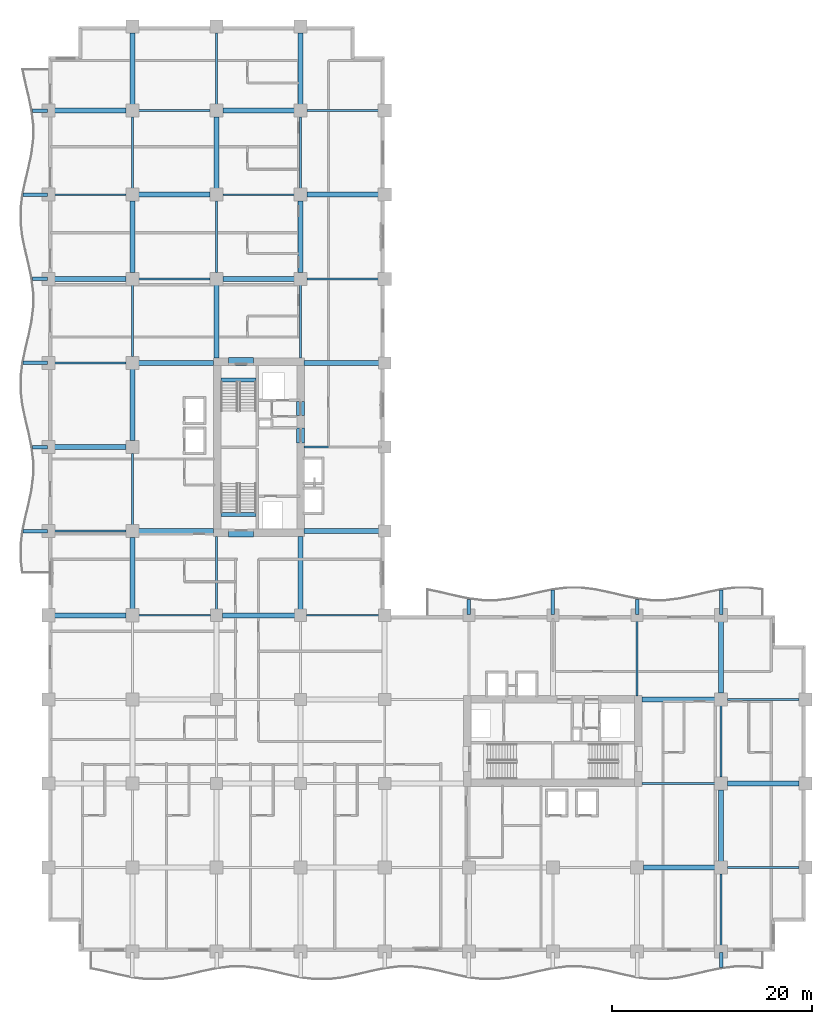
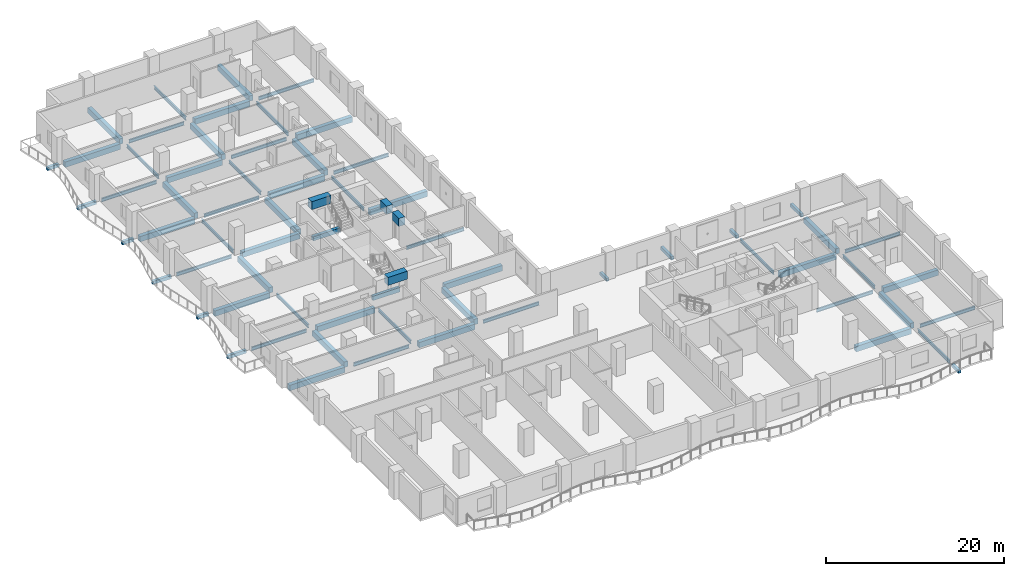
# One storey, part 2 of 18: 69 beams.
"""IFC4 building model written with IfcOpenShell, lengths in metres."""

from ifc_helpers import new_model, si_unit, direction, frame, origin, origin_2d, place, context, subcontext, project, spatial, rectangle, i_section, extrude, material, material_profile, profile_set, type_object, element, save


model = new_model("IFC4")

# Units and contexts
model_context = context("Model", 3, precision=1e-05, world=origin(), true_north=direction((0.0, 1.0)))
body_context = subcontext(model_context, "Body", "Model", "MODEL_VIEW")
ifc_project = project(units=[si_unit("LENGTHUNIT", "METRE"), si_unit("AREAUNIT", "SQUARE_METRE"), si_unit("VOLUMEUNIT", "CUBIC_METRE"), si_unit("PLANEANGLEUNIT", "RADIAN"), si_unit("MASSUNIT", "GRAM", prefix="KILO")], contexts=[model_context])

# Site, building, storey
site_placement = place(None, origin())
site = spatial("IfcSite", under=ifc_project, at=site_placement, CompositionType="ELEMENT")
building_placement = place(site_placement, origin())
building = spatial("IfcBuilding", under=site, at=building_placement, Name="Koriwani Terraces Tower", CompositionType="ELEMENT")
storey_placement = place(building_placement, frame((0.0, 0.0, 107.60009765625)))
storey = spatial("IfcBuildingStorey", under=building, at=storey_placement, Name="L25", CompositionType="ELEMENT", Elevation=107.60009765625)

# Beams
ifc_material_1 = material(Name="Concrete C40/50", Category="concrete")
ifc_material_profile_1 = material_profile(ifc_material_1, rectangle(XDim=0.35009765625, YDim=0.449951171875, at=origin_2d()), Name="Concrete C40/50", Category="LoadBearing")
ifc_profile_set_1 = profile_set([ifc_material_profile_1], Name="Concrete C40/50")
beam_type_1 = type_object("IfcBeamType", Name="BEAM_RC_BALCONY_RIB_350X450", PredefinedType="JOIST", material=ifc_profile_set_1)
beam_1_placement = place(storey_placement, frame((67.199951171875, -1.59033203125, -0.47509765625), z_axis=(0.0, 1.0, 0.0), x_axis=(-1.0, 0.0, 0.0)))
element("IfcBeam", 1, at=beam_1_placement, inside=storey, type_object=beam_type_1, Name="L25 Balcony Bracket Rib S-8", PredefinedType="JOIST", context=body_context, shape_type="SweptSolid", body=[
    extrude(rectangle(XDim=0.35009765625, YDim=0.449951171875, at=origin_2d()), origin(), (0.0, 0.0, 1.0), 1.490234375),
])
beam_2_placement = place(storey_placement, frame((-2.509521484375, 42.0, -0.47509765625), z_axis=(1.0, 0.0, 0.0), x_axis=(0.0, 1.0, 0.0)))
element("IfcBeam", 2, at=beam_2_placement, inside=storey, type_object=beam_type_1, Name="L25 Balcony Bracket Rib W-1", PredefinedType="JOIST", context=body_context, shape_type="SweptSolid", body=[
    extrude(rectangle(XDim=0.35009765625, YDim=0.449951171875, at=origin_2d()), origin(), (0.0, 0.0, 1.0), 2.409423828125),
])
beam_3_placement = place(storey_placement, frame((-1.59033203125, 50.39990234375, -0.47509765625), z_axis=(1.0, 0.0, 0.0), x_axis=(0.0, 1.0, 0.0)))
element("IfcBeam", 3, at=beam_3_placement, inside=storey, type_object=beam_type_1, Name="L25 Balcony Bracket Rib W-2", PredefinedType="JOIST", context=body_context, shape_type="SweptSolid", body=[
    extrude(rectangle(XDim=0.35009765625, YDim=0.449951171875, at=origin_2d()), origin(), (0.0, 0.0, 1.0), 1.490234375),
])
beam_4_placement = place(storey_placement, frame((-2.509521484375, 58.800048828125, -0.47509765625), z_axis=(1.0, 0.0, 0.0), x_axis=(0.0, 1.0, 0.0)))
element("IfcBeam", 4, at=beam_4_placement, inside=storey, type_object=beam_type_1, Name="L25 Balcony Bracket Rib W-3", PredefinedType="JOIST", context=body_context, shape_type="SweptSolid", body=[
    extrude(rectangle(XDim=0.35009765625, YDim=0.449951171875, at=origin_2d()), origin(), (0.0, 0.0, 1.0), 2.409423828125),
])
beam_5_placement = place(storey_placement, frame((-1.59033203125, 67.199951171875, -0.47509765625), z_axis=(1.0, 0.0, 0.0), x_axis=(0.0, 1.0, 0.0)))
element("IfcBeam", 5, at=beam_5_placement, inside=storey, type_object=beam_type_1, Name="L25 Balcony Bracket Rib W-4", PredefinedType="JOIST", context=body_context, shape_type="SweptSolid", body=[
    extrude(rectangle(XDim=0.35009765625, YDim=0.449951171875, at=origin_2d()), origin(), (0.0, 0.0, 1.0), 1.490234375),
])
beam_6_placement = place(storey_placement, frame((-2.509521484375, 75.60009765625, -0.47509765625), z_axis=(1.0, 0.0, 0.0), x_axis=(0.0, 1.0, 0.0)))
element("IfcBeam", 6, at=beam_6_placement, inside=storey, type_object=beam_type_1, Name="L25 Balcony Bracket Rib W-5", PredefinedType="JOIST", context=body_context, shape_type="SweptSolid", body=[
    extrude(rectangle(XDim=0.35009765625, YDim=0.449951171875, at=origin_2d()), origin(), (0.0, 0.0, 1.0), 2.409423828125),
])
beam_7_placement = place(storey_placement, frame((-1.59033203125, 84.0, -0.47509765625), z_axis=(1.0, 0.0, 0.0), x_axis=(0.0, 1.0, 0.0)))
element("IfcBeam", 7, at=beam_7_placement, inside=storey, type_object=beam_type_1, Name="L25 Balcony Bracket Rib W-6", PredefinedType="JOIST", context=body_context, shape_type="SweptSolid", body=[
    extrude(rectangle(XDim=0.35009765625, YDim=0.449951171875, at=origin_2d()), origin(), (0.0, 0.0, 1.0), 1.490234375),
])
beam_8_placement = place(storey_placement, frame((42.0, 33.699951171875, -0.47509765625), z_axis=(0.0, 1.0, 0.0), x_axis=(-1.0, 0.0, 0.0)))
element("IfcBeam", 8, at=beam_8_placement, inside=storey, type_object=beam_type_1, Name="L25 Balcony Bracket Rib NE-1", PredefinedType="JOIST", context=body_context, shape_type="SweptSolid", body=[
    extrude(rectangle(XDim=0.35009765625, YDim=0.449951171875, at=origin_2d()), origin(), (0.0, 0.0, 1.0), 1.490478515625),
])
beam_9_placement = place(storey_placement, frame((50.39990234375, 33.699951171875, -0.47509765625), z_axis=(0.0, 1.0, 0.0), x_axis=(-1.0, 0.0, 0.0)))
element("IfcBeam", 9, at=beam_9_placement, inside=storey, type_object=beam_type_1, Name="L25 Balcony Bracket Rib NE-2", PredefinedType="JOIST", context=body_context, shape_type="SweptSolid", body=[
    extrude(rectangle(XDim=0.35009765625, YDim=0.449951171875, at=origin_2d()), origin(), (0.0, 0.0, 1.0), 2.40966796875),
])
beam_10_placement = place(storey_placement, frame((58.800048828125, 33.699951171875, -0.47509765625), z_axis=(0.0, 1.0, 0.0), x_axis=(-1.0, 0.0, 0.0)))
element("IfcBeam", 10, at=beam_10_placement, inside=storey, type_object=beam_type_1, Name="L25 Balcony Bracket Rib NE-3", PredefinedType="JOIST", context=body_context, shape_type="SweptSolid", body=[
    extrude(rectangle(XDim=0.35009765625, YDim=0.449951171875, at=origin_2d()), origin(), (0.0, 0.0, 1.0), 1.490478515625),
])
beam_11_placement = place(storey_placement, frame((67.199951171875, 33.699951171875, -0.47509765625), z_axis=(0.0, 1.0, 0.0), x_axis=(-1.0, 0.0, 0.0)))
element("IfcBeam", 11, at=beam_11_placement, inside=storey, type_object=beam_type_1, Name="L25 Balcony Bracket Rib NE-4", PredefinedType="JOIST", context=body_context, shape_type="SweptSolid", body=[
    extrude(rectangle(XDim=0.35009765625, YDim=0.449951171875, at=origin_2d()), origin(), (0.0, 0.0, 1.0), 2.40966796875),
])
ifc_material_2 = material(Name="Concrete C60/75", Category="concrete")
ifc_material_profile_2 = material_profile(ifc_material_2, rectangle(XDim=0.800048828125, YDim=1.10009765625, at=origin_2d()), Name="Concrete C60/75", Category="LoadBearing")
ifc_profile_set_2 = profile_set([ifc_material_profile_2], Name="Concrete C60/75")
beam_type_2 = type_object("IfcBeamType", Name="BEAM_RC_COUPLING_800X1100", PredefinedType="LINTEL", material=ifc_profile_set_2)
beam_12_placement = place(storey_placement, frame((25.199951171875, 50.800048828125, 3.0), z_axis=(0.0, 1.0, 0.0), x_axis=(-1.0, 0.0, 0.0)))
element("IfcBeam", 12, at=beam_12_placement, inside=storey, type_object=beam_type_2, Name="L25 Core Coupling Lintel Beam WE1", PredefinedType="LINTEL", context=body_context, shape_type="SweptSolid", body=[
    extrude(rectangle(XDim=0.800048828125, YDim=1.10009765625, at=origin_2d()), origin(), (0.0, 0.0, 1.0), 1.47998046875),
])
beam_13_placement = place(storey_placement, frame((25.199951171875, 53.550048828125, 3.0), z_axis=(0.0, 1.0, 0.0), x_axis=(-1.0, 0.0, 0.0)))
element("IfcBeam", 13, at=beam_13_placement, inside=storey, type_object=beam_type_2, Name="L25 Core Coupling Lintel Beam WE2", PredefinedType="LINTEL", context=body_context, shape_type="SweptSolid", body=[
    extrude(rectangle(XDim=0.800048828125, YDim=1.10009765625, at=origin_2d()), origin(), (0.0, 0.0, 1.0), 1.39990234375),
])
for number, where, z_axis, x_axis, name in (
    (14, (18.0, 41.824951171875, 3.0), (1.0, 0.0, 0.0), (0.0, 1.0, 0.0), "L25 Core Coupling Lintel Beam WS"),
    (15, (18.0, 58.925048828125, 3.0), (1.0, 0.0, 0.0), (0.0, 1.0, 0.0), "L25 Core Coupling Lintel Beam WN"),
):
    element("IfcBeam", number, at=place(storey_placement, frame(where, z_axis=z_axis, x_axis=x_axis)), inside=storey, type_object=beam_type_2, Name=name, PredefinedType="LINTEL", context=body_context, shape_type="SweptSolid", body=[
        extrude(rectangle(XDim=0.800048828125, YDim=1.10009765625, at=origin_2d()), origin(), (0.0, 0.0, 1.0), 2.5),
    ])
ifc_material_profile_3 = material_profile(ifc_material_1, rectangle(XDim=0.39990234375, YDim=0.60009765625, at=origin_2d()), Name="Concrete C40/50", Category="LoadBearing")
ifc_profile_set_3 = profile_set([ifc_material_profile_3], Name="Concrete C40/50")
beam_type_3 = type_object("IfcBeamType", Name="BEAM_RC_GRID_400X600", PredefinedType="BEAM", material=ifc_profile_set_3)
for number, where, z_axis, x_axis, name in (
    (16, (17.25, 43.655029296875, -0.300048828125), (1.0, 0.0, 0.0), (0.0, 1.0, 0.0), "L25 Stairwell Header Trimmer Beam ST-W1"),
    (17, (17.25, 57.094970703125, -0.300048828125), (1.0, 0.0, 0.0), (0.0, 1.0, 0.0), "L25 Stairwell Header Trimmer Beam ST-W2"),
):
    element("IfcBeam", number, at=place(storey_placement, frame(where, z_axis=z_axis, x_axis=x_axis)), inside=storey, type_object=beam_type_3, Name=name, PredefinedType="BEAM", context=body_context, shape_type="SweptSolid", body=[
        extrude(rectangle(XDim=0.39990234375, YDim=0.60009765625, at=origin_2d()), origin(), (0.0, 0.0, 1.0), 3.5),
    ])
ifc_material_3 = material(Name="Concrete C50/60", Category="concrete")
ifc_material_profile_4 = material_profile(ifc_material_3, rectangle(XDim=0.5, YDim=0.75, at=origin_2d()), Name="Concrete C50/60", Category="LoadBearing")
ifc_profile_set_4 = profile_set([ifc_material_profile_4], Name="Concrete C50/60")
beam_type_4 = type_object("IfcBeamType", Name="BEAM_RC_GRID_500X750", PredefinedType="BEAM", material=ifc_profile_set_4)
beam_14_placement = place(storey_placement, frame((59.429931640625, 8.39990234375, -0.625), z_axis=(1.0, 0.0, 0.0), x_axis=(0.0, 1.0, 0.0)))
element("IfcBeam", 18, at=beam_14_placement, inside=storey, type_object=beam_type_4, Name="L25 Grid Beam B (58.8-67.2m)", PredefinedType="BEAM", context=body_context, shape_type="SweptSolid", body=[
    extrude(rectangle(XDim=0.5, YDim=0.75, at=origin_2d()), origin(), (0.0, 0.0, 1.0), 7.14013671875),
])
beam_15_placement = place(storey_placement, frame((67.830078125, 16.800048828125, -0.625), z_axis=(1.0, 0.0, 0.0), x_axis=(0.0, 1.0, 0.0)))
element("IfcBeam", 19, at=beam_15_placement, inside=storey, type_object=beam_type_4, Name="L25 Grid Beam C (67.2-75.6m)", PredefinedType="BEAM", context=body_context, shape_type="SweptSolid", body=[
    extrude(rectangle(XDim=0.5, YDim=0.75, at=origin_2d()), origin(), (0.0, 0.0, 1.0), 7.139892578125),
])
beam_16_placement = place(storey_placement, frame((59.280029296875, 25.199951171875, -0.625), z_axis=(1.0, 0.0, 0.0), x_axis=(0.0, 1.0, 0.0)))
element("IfcBeam", 20, at=beam_16_placement, inside=storey, type_object=beam_type_4, Name="L25 Grid Beam D (58.8-67.2m)", PredefinedType="BEAM", context=body_context, shape_type="SweptSolid", body=[
    extrude(rectangle(XDim=0.5, YDim=0.75, at=origin_2d()), origin(), (0.0, 0.0, 1.0), 7.2900390625),
])
beam_17_placement = place(storey_placement, frame((0.6298828125, 33.60009765625, -0.625), z_axis=(1.0, 0.0, 0.0), x_axis=(0.0, 1.0, 0.0)))
element("IfcBeam", 21, at=beam_17_placement, inside=storey, type_object=beam_type_4, Name="L25 Grid Beam E (0.0-8.4m)", PredefinedType="BEAM", context=body_context, shape_type="SweptSolid", body=[
    extrude(rectangle(XDim=0.5, YDim=0.75, at=origin_2d()), origin(), (0.0, 0.0, 1.0), 7.14013671875),
])
beam_18_placement = place(storey_placement, frame((17.3798828125, 33.60009765625, -0.625), z_axis=(1.0, 0.0, 0.0), x_axis=(0.0, 1.0, 0.0)))
element("IfcBeam", 22, at=beam_18_placement, inside=storey, type_object=beam_type_4, Name="L25 Grid Beam E (16.8-25.2m)", PredefinedType="BEAM", context=body_context, shape_type="SweptSolid", body=[
    extrude(rectangle(XDim=0.5, YDim=0.75, at=origin_2d()), origin(), (0.0, 0.0, 1.0), 7.240234375),
])
beam_19_placement = place(storey_placement, frame((9.030029296875, 42.0, -0.625), z_axis=(1.0, 0.0, 0.0), x_axis=(0.0, 1.0, 0.0)))
element("IfcBeam", 23, at=beam_19_placement, inside=storey, type_object=beam_type_4, Name="L25 Grid Beam F (8.4-16.8m)", PredefinedType="BEAM", context=body_context, shape_type="SweptSolid", body=[
    extrude(rectangle(XDim=0.5, YDim=0.75, at=origin_2d()), origin(), (0.0, 0.0, 1.0), 7.489990234375),
])
beam_20_placement = place(storey_placement, frame((25.554931640625, 42.0, -0.625), z_axis=(1.0, 0.0, 0.0), x_axis=(0.0, 1.0, 0.0)))
element("IfcBeam", 24, at=beam_20_placement, inside=storey, type_object=beam_type_4, Name="L25 Grid Beam F (25.2-33.6m)", PredefinedType="BEAM", context=body_context, shape_type="SweptSolid", body=[
    extrude(rectangle(XDim=0.5, YDim=0.75, at=origin_2d()), origin(), (0.0, 0.0, 1.0), 7.465087890625),
])
beam_21_placement = place(storey_placement, frame((0.6298828125, 50.39990234375, -0.625), z_axis=(1.0, 0.0, 0.0), x_axis=(0.0, 1.0, 0.0)))
element("IfcBeam", 25, at=beam_21_placement, inside=storey, type_object=beam_type_4, Name="L25 Grid Beam G (0.0-8.4m)", PredefinedType="BEAM", context=body_context, shape_type="SweptSolid", body=[
    extrude(rectangle(XDim=0.5, YDim=0.75, at=origin_2d()), origin(), (0.0, 0.0, 1.0), 7.14013671875),
])
beam_22_placement = place(storey_placement, frame((9.030029296875, 58.800048828125, -0.625), z_axis=(1.0, 0.0, 0.0), x_axis=(0.0, 1.0, 0.0)))
element("IfcBeam", 26, at=beam_22_placement, inside=storey, type_object=beam_type_4, Name="L25 Grid Beam H (8.4-16.8m)", PredefinedType="BEAM", context=body_context, shape_type="SweptSolid", body=[
    extrude(rectangle(XDim=0.5, YDim=0.75, at=origin_2d()), origin(), (0.0, 0.0, 1.0), 7.489990234375),
])
beam_23_placement = place(storey_placement, frame((25.554931640625, 58.800048828125, -0.625), z_axis=(1.0, 0.0, 0.0), x_axis=(0.0, 1.0, 0.0)))
element("IfcBeam", 27, at=beam_23_placement, inside=storey, type_object=beam_type_4, Name="L25 Grid Beam H (25.2-33.6m)", PredefinedType="BEAM", context=body_context, shape_type="SweptSolid", body=[
    extrude(rectangle(XDim=0.5, YDim=0.75, at=origin_2d()), origin(), (0.0, 0.0, 1.0), 7.465087890625),
])
for number, where, z_axis, x_axis, name in (
    (28, (0.6298828125, 67.199951171875, -0.625), (1.0, 0.0, 0.0), (0.0, 1.0, 0.0), "L25 Grid Beam I (0.0-8.4m)"),
    (29, (17.429931640625, 67.199951171875, -0.625), (1.0, 0.0, 0.0), (0.0, 1.0, 0.0), "L25 Grid Beam I (16.8-25.2m)"),
):
    element("IfcBeam", number, at=place(storey_placement, frame(where, z_axis=z_axis, x_axis=x_axis)), inside=storey, type_object=beam_type_4, Name=name, PredefinedType="BEAM", context=body_context, shape_type="SweptSolid", body=[
        extrude(rectangle(XDim=0.5, YDim=0.75, at=origin_2d()), origin(), (0.0, 0.0, 1.0), 7.14013671875),
    ])
for number, where, z_axis, x_axis, name in (
    (30, (9.030029296875, 75.60009765625, -0.625), (1.0, 0.0, 0.0), (0.0, 1.0, 0.0), "L25 Grid Beam J (8.4-16.8m)"),
    (31, (25.830078125, 75.60009765625, -0.625), (1.0, 0.0, 0.0), (0.0, 1.0, 0.0), "L25 Grid Beam J (25.2-33.6m)"),
):
    element("IfcBeam", number, at=place(storey_placement, frame(where, z_axis=z_axis, x_axis=x_axis)), inside=storey, type_object=beam_type_4, Name=name, PredefinedType="BEAM", context=body_context, shape_type="SweptSolid", body=[
        extrude(rectangle(XDim=0.5, YDim=0.75, at=origin_2d()), origin(), (0.0, 0.0, 1.0), 7.139892578125),
    ])
for number, where, z_axis, x_axis, name in (
    (32, (0.6298828125, 84.0, -0.625), (1.0, 0.0, 0.0), (0.0, 1.0, 0.0), "L25 Grid Beam K (0.0-8.4m)"),
    (33, (17.429931640625, 84.0, -0.625), (1.0, 0.0, 0.0), (0.0, 1.0, 0.0), "L25 Grid Beam K (16.8-25.2m)"),
    (34, (8.39990234375, 34.22998046875, -0.625), (0.0, 1.0, 0.0), (-1.0, 0.0, 0.0), "L25 Grid Beam 2 (33.6-42.0m)"),
):
    element("IfcBeam", number, at=place(storey_placement, frame(where, z_axis=z_axis, x_axis=x_axis)), inside=storey, type_object=beam_type_4, Name=name, PredefinedType="BEAM", context=body_context, shape_type="SweptSolid", body=[
        extrude(rectangle(XDim=0.5, YDim=0.75, at=origin_2d()), origin(), (0.0, 0.0, 1.0), 7.14013671875),
    ])
for number, where, z_axis, x_axis, name in (
    (35, (8.39990234375, 51.030029296875, -0.625), (0.0, 1.0, 0.0), (-1.0, 0.0, 0.0), "L25 Grid Beam 2 (50.4-58.8m)"),
    (36, (8.39990234375, 67.830078125, -0.625), (0.0, 1.0, 0.0), (-1.0, 0.0, 0.0), "L25 Grid Beam 2 (67.2-75.6m)"),
):
    element("IfcBeam", number, at=place(storey_placement, frame(where, z_axis=z_axis, x_axis=x_axis)), inside=storey, type_object=beam_type_4, Name=name, PredefinedType="BEAM", context=body_context, shape_type="SweptSolid", body=[
        extrude(rectangle(XDim=0.5, YDim=0.75, at=origin_2d()), origin(), (0.0, 0.0, 1.0), 7.139892578125),
    ])
beam_24_placement = place(storey_placement, frame((8.39990234375, 84.6298828125, -0.625), z_axis=(0.0, 1.0, 0.0), x_axis=(-1.0, 0.0, 0.0)))
element("IfcBeam", 37, at=beam_24_placement, inside=storey, type_object=beam_type_4, Name="L25 Grid Beam 2 (84.0-92.4m)", PredefinedType="BEAM", context=body_context, shape_type="SweptSolid", body=[
    extrude(rectangle(XDim=0.5, YDim=0.75, at=origin_2d()), origin(), (0.0, 0.0, 1.0), 7.14013671875),
])
beam_25_placement = place(storey_placement, frame((16.800048828125, 59.280029296875, -0.625), z_axis=(0.0, 1.0, 0.0), x_axis=(-1.0, 0.0, 0.0)))
element("IfcBeam", 38, at=beam_25_placement, inside=storey, type_object=beam_type_4, Name="L25 Grid Beam 3 (58.8-67.2m)", PredefinedType="BEAM", context=body_context, shape_type="SweptSolid", body=[
    extrude(rectangle(XDim=0.5, YDim=0.75, at=origin_2d()), origin(), (0.0, 0.0, 1.0), 7.2900390625),
])
beam_26_placement = place(storey_placement, frame((16.800048828125, 76.22998046875, -0.625), z_axis=(0.0, 1.0, 0.0), x_axis=(-1.0, 0.0, 0.0)))
element("IfcBeam", 39, at=beam_26_placement, inside=storey, type_object=beam_type_4, Name="L25 Grid Beam 3 (75.6-84.0m)", PredefinedType="BEAM", context=body_context, shape_type="SweptSolid", body=[
    extrude(rectangle(XDim=0.5, YDim=0.75, at=origin_2d()), origin(), (0.0, 0.0, 1.0), 7.14013671875),
])
beam_27_placement = place(storey_placement, frame((25.199951171875, 34.179931640625, -0.625), z_axis=(0.0, 1.0, 0.0), x_axis=(-1.0, 0.0, 0.0)))
element("IfcBeam", 40, at=beam_27_placement, inside=storey, type_object=beam_type_4, Name="L25 Grid Beam 4 (33.6-42.0m)", PredefinedType="BEAM", context=body_context, shape_type="SweptSolid", body=[
    extrude(rectangle(XDim=0.5, YDim=0.75, at=origin_2d()), origin(), (0.0, 0.0, 1.0), 7.2900390625),
])
beam_28_placement = place(storey_placement, frame((25.199951171875, 67.830078125, -0.625), z_axis=(0.0, 1.0, 0.0), x_axis=(-1.0, 0.0, 0.0)))
element("IfcBeam", 41, at=beam_28_placement, inside=storey, type_object=beam_type_4, Name="L25 Grid Beam 4 (67.2-75.6m)", PredefinedType="BEAM", context=body_context, shape_type="SweptSolid", body=[
    extrude(rectangle(XDim=0.5, YDim=0.75, at=origin_2d()), origin(), (0.0, 0.0, 1.0), 7.139892578125),
])
beam_29_placement = place(storey_placement, frame((25.199951171875, 84.6298828125, -0.625), z_axis=(0.0, 1.0, 0.0), x_axis=(-1.0, 0.0, 0.0)))
element("IfcBeam", 42, at=beam_29_placement, inside=storey, type_object=beam_type_4, Name="L25 Grid Beam 4 (84.0-92.4m)", PredefinedType="BEAM", context=body_context, shape_type="SweptSolid", body=[
    extrude(rectangle(XDim=0.5, YDim=0.75, at=origin_2d()), origin(), (0.0, 0.0, 1.0), 7.14013671875),
])
for number, where, z_axis, x_axis, name in (
    (43, (67.199951171875, 9.030029296875, -0.625), (0.0, 1.0, 0.0), (-1.0, 0.0, 0.0), "L25 Grid Beam 9 (8.4-16.8m)"),
    (44, (67.199951171875, 25.830078125, -0.625), (0.0, 1.0, 0.0), (-1.0, 0.0, 0.0), "L25 Grid Beam 9 (25.2-33.6m)"),
):
    element("IfcBeam", number, at=place(storey_placement, frame(where, z_axis=z_axis, x_axis=x_axis)), inside=storey, type_object=beam_type_4, Name=name, PredefinedType="BEAM", context=body_context, shape_type="SweptSolid", body=[
        extrude(rectangle(XDim=0.5, YDim=0.75, at=origin_2d()), origin(), (0.0, 0.0, 1.0), 7.139892578125),
    ])
ifc_material_4 = material(Name="Steel ASTM A572 Grade 50", Category="steel")
ifc_material_profile_5 = material_profile(ifc_material_4, i_section(OverallWidth=0.19189453125, OverallDepth=0.462890625, WebThickness=0.010498046875, FlangeThickness=0.01611328125, at=origin_2d()), Name="Steel ASTM A572 Grade 50", Category="LoadBearing")
ifc_profile_set_5 = profile_set([ifc_material_profile_5], Name="Steel ASTM A572 Grade 50")
beam_type_5 = type_object("IfcBeamType", Name="STEEL_BEAM_W460X89", PredefinedType="BEAM", material=ifc_profile_set_5)
beam_30_placement = place(storey_placement, frame((67.830078125, 8.39990234375, -0.481689453125), z_axis=(1.0, 0.0, 0.0), x_axis=(0.0, 1.0, 0.0)))
element("IfcBeam", 45, at=beam_30_placement, inside=storey, type_object=beam_type_5, Name="L25 Grid Beam B (67.2-75.6m)", PredefinedType="BEAM", context=body_context, shape_type="SweptSolid", body=[
    extrude(i_section(OverallWidth=0.19189453125, OverallDepth=0.462890625, WebThickness=0.010498046875, FlangeThickness=0.01611328125, at=origin_2d()), origin(), (0.0, 0.0, 1.0), 7.139892578125),
])
beam_31_placement = place(storey_placement, frame((59.280029296875, 16.800048828125, -0.481689453125), z_axis=(1.0, 0.0, 0.0), x_axis=(0.0, 1.0, 0.0)))
element("IfcBeam", 46, at=beam_31_placement, inside=storey, type_object=beam_type_5, Name="L25 Grid Beam C (58.8-67.2m)", PredefinedType="BEAM", context=body_context, shape_type="SweptSolid", body=[
    extrude(i_section(OverallWidth=0.19189453125, OverallDepth=0.462890625, WebThickness=0.010498046875, FlangeThickness=0.01611328125, at=origin_2d()), origin(), (0.0, 0.0, 1.0), 7.2900390625),
])
beam_32_placement = place(storey_placement, frame((67.830078125, 25.199951171875, -0.481689453125), z_axis=(1.0, 0.0, 0.0), x_axis=(0.0, 1.0, 0.0)))
element("IfcBeam", 47, at=beam_32_placement, inside=storey, type_object=beam_type_5, Name="L25 Grid Beam D (67.2-75.6m)", PredefinedType="BEAM", context=body_context, shape_type="SweptSolid", body=[
    extrude(i_section(OverallWidth=0.19189453125, OverallDepth=0.462890625, WebThickness=0.010498046875, FlangeThickness=0.01611328125, at=origin_2d()), origin(), (0.0, 0.0, 1.0), 7.139892578125),
])
beam_33_placement = place(storey_placement, frame((9.030029296875, 33.60009765625, -0.481689453125), z_axis=(1.0, 0.0, 0.0), x_axis=(0.0, 1.0, 0.0)))
element("IfcBeam", 48, at=beam_33_placement, inside=storey, type_object=beam_type_5, Name="L25 Grid Beam E (8.4-16.8m)", PredefinedType="BEAM", context=body_context, shape_type="SweptSolid", body=[
    extrude(i_section(OverallWidth=0.19189453125, OverallDepth=0.462890625, WebThickness=0.010498046875, FlangeThickness=0.01611328125, at=origin_2d()), origin(), (0.0, 0.0, 1.0), 7.18994140625),
])
beam_34_placement = place(storey_placement, frame((25.780029296875, 33.60009765625, -0.481689453125), z_axis=(1.0, 0.0, 0.0), x_axis=(0.0, 1.0, 0.0)))
element("IfcBeam", 49, at=beam_34_placement, inside=storey, type_object=beam_type_5, Name="L25 Grid Beam E (25.2-33.6m)", PredefinedType="BEAM", context=body_context, shape_type="SweptSolid", body=[
    extrude(i_section(OverallWidth=0.19189453125, OverallDepth=0.462890625, WebThickness=0.010498046875, FlangeThickness=0.01611328125, at=origin_2d()), origin(), (0.0, 0.0, 1.0), 7.239990234375),
])
beam_35_placement = place(storey_placement, frame((0.6298828125, 42.0, -0.481689453125), z_axis=(1.0, 0.0, 0.0), x_axis=(0.0, 1.0, 0.0)))
element("IfcBeam", 50, at=beam_35_placement, inside=storey, type_object=beam_type_5, Name="L25 Grid Beam F (0.0-8.4m)", PredefinedType="BEAM", context=body_context, shape_type="SweptSolid", body=[
    extrude(i_section(OverallWidth=0.19189453125, OverallDepth=0.462890625, WebThickness=0.010498046875, FlangeThickness=0.01611328125, at=origin_2d()), origin(), (0.0, 0.0, 1.0), 7.14013671875),
])
beam_36_placement = place(storey_placement, frame((25.554931640625, 50.39990234375, -0.481689453125), z_axis=(1.0, 0.0, 0.0), x_axis=(0.0, 1.0, 0.0)))
element("IfcBeam", 51, at=beam_36_placement, inside=storey, type_object=beam_type_5, Name="L25 Grid Beam G (25.2-33.6m)", PredefinedType="BEAM", context=body_context, shape_type="SweptSolid", body=[
    extrude(i_section(OverallWidth=0.19189453125, OverallDepth=0.462890625, WebThickness=0.010498046875, FlangeThickness=0.01611328125, at=origin_2d()), origin(), (0.0, 0.0, 1.0), 7.465087890625),
])
beam_37_placement = place(storey_placement, frame((0.6298828125, 58.800048828125, -0.481689453125), z_axis=(1.0, 0.0, 0.0), x_axis=(0.0, 1.0, 0.0)))
element("IfcBeam", 52, at=beam_37_placement, inside=storey, type_object=beam_type_5, Name="L25 Grid Beam H (0.0-8.4m)", PredefinedType="BEAM", context=body_context, shape_type="SweptSolid", body=[
    extrude(i_section(OverallWidth=0.19189453125, OverallDepth=0.462890625, WebThickness=0.010498046875, FlangeThickness=0.01611328125, at=origin_2d()), origin(), (0.0, 0.0, 1.0), 7.14013671875),
])
for number, where, z_axis, x_axis, name in (
    (53, (9.030029296875, 67.199951171875, -0.481689453125), (1.0, 0.0, 0.0), (0.0, 1.0, 0.0), "L25 Grid Beam I (8.4-16.8m)"),
    (54, (25.830078125, 67.199951171875, -0.481689453125), (1.0, 0.0, 0.0), (0.0, 1.0, 0.0), "L25 Grid Beam I (25.2-33.6m)"),
):
    element("IfcBeam", number, at=place(storey_placement, frame(where, z_axis=z_axis, x_axis=x_axis)), inside=storey, type_object=beam_type_5, Name=name, PredefinedType="BEAM", context=body_context, shape_type="SweptSolid", body=[
        extrude(i_section(OverallWidth=0.19189453125, OverallDepth=0.462890625, WebThickness=0.010498046875, FlangeThickness=0.01611328125, at=origin_2d()), origin(), (0.0, 0.0, 1.0), 7.139892578125),
    ])
for number, where, z_axis, x_axis, name in (
    (55, (0.6298828125, 75.60009765625, -0.481689453125), (1.0, 0.0, 0.0), (0.0, 1.0, 0.0), "L25 Grid Beam J (0.0-8.4m)"),
    (56, (17.429931640625, 75.60009765625, -0.481689453125), (1.0, 0.0, 0.0), (0.0, 1.0, 0.0), "L25 Grid Beam J (16.8-25.2m)"),
):
    element("IfcBeam", number, at=place(storey_placement, frame(where, z_axis=z_axis, x_axis=x_axis)), inside=storey, type_object=beam_type_5, Name=name, PredefinedType="BEAM", context=body_context, shape_type="SweptSolid", body=[
        extrude(i_section(OverallWidth=0.19189453125, OverallDepth=0.462890625, WebThickness=0.010498046875, FlangeThickness=0.01611328125, at=origin_2d()), origin(), (0.0, 0.0, 1.0), 7.14013671875),
    ])
for number, where, z_axis, x_axis, name in (
    (57, (9.030029296875, 84.0, -0.481689453125), (1.0, 0.0, 0.0), (0.0, 1.0, 0.0), "L25 Grid Beam K (8.4-16.8m)"),
    (58, (25.830078125, 84.0, -0.481689453125), (1.0, 0.0, 0.0), (0.0, 1.0, 0.0), "L25 Grid Beam K (25.2-33.6m)"),
):
    element("IfcBeam", number, at=place(storey_placement, frame(where, z_axis=z_axis, x_axis=x_axis)), inside=storey, type_object=beam_type_5, Name=name, PredefinedType="BEAM", context=body_context, shape_type="SweptSolid", body=[
        extrude(i_section(OverallWidth=0.19189453125, OverallDepth=0.462890625, WebThickness=0.010498046875, FlangeThickness=0.01611328125, at=origin_2d()), origin(), (0.0, 0.0, 1.0), 7.139892578125),
    ])
for number, where, z_axis, x_axis, name in (
    (59, (8.39990234375, 42.6298828125, -0.481689453125), (0.0, 1.0, 0.0), (-1.0, 0.0, 0.0), "L25 Grid Beam 2 (42.0-50.4m)"),
    (60, (8.39990234375, 59.429931640625, -0.481689453125), (0.0, 1.0, 0.0), (-1.0, 0.0, 0.0), "L25 Grid Beam 2 (58.8-67.2m)"),
    (61, (8.39990234375, 76.22998046875, -0.481689453125), (0.0, 1.0, 0.0), (-1.0, 0.0, 0.0), "L25 Grid Beam 2 (75.6-84.0m)"),
):
    element("IfcBeam", number, at=place(storey_placement, frame(where, z_axis=z_axis, x_axis=x_axis)), inside=storey, type_object=beam_type_5, Name=name, PredefinedType="BEAM", context=body_context, shape_type="SweptSolid", body=[
        extrude(i_section(OverallWidth=0.19189453125, OverallDepth=0.462890625, WebThickness=0.010498046875, FlangeThickness=0.01611328125, at=origin_2d()), origin(), (0.0, 0.0, 1.0), 7.14013671875),
    ])
beam_38_placement = place(storey_placement, frame((16.800048828125, 34.179931640625, -0.481689453125), z_axis=(0.0, 1.0, 0.0), x_axis=(-1.0, 0.0, 0.0)))
element("IfcBeam", 62, at=beam_38_placement, inside=storey, type_object=beam_type_5, Name="L25 Grid Beam 3 (33.6-42.0m)", PredefinedType="BEAM", context=body_context, shape_type="SweptSolid", body=[
    extrude(i_section(OverallWidth=0.19189453125, OverallDepth=0.462890625, WebThickness=0.010498046875, FlangeThickness=0.01611328125, at=origin_2d()), origin(), (0.0, 0.0, 1.0), 7.2900390625),
])
beam_39_placement = place(storey_placement, frame((16.800048828125, 67.830078125, -0.481689453125), z_axis=(0.0, 1.0, 0.0), x_axis=(-1.0, 0.0, 0.0)))
element("IfcBeam", 63, at=beam_39_placement, inside=storey, type_object=beam_type_5, Name="L25 Grid Beam 3 (67.2-75.6m)", PredefinedType="BEAM", context=body_context, shape_type="SweptSolid", body=[
    extrude(i_section(OverallWidth=0.19189453125, OverallDepth=0.462890625, WebThickness=0.010498046875, FlangeThickness=0.01611328125, at=origin_2d()), origin(), (0.0, 0.0, 1.0), 7.139892578125),
])
beam_40_placement = place(storey_placement, frame((16.800048828125, 84.6298828125, -0.481689453125), z_axis=(0.0, 1.0, 0.0), x_axis=(-1.0, 0.0, 0.0)))
element("IfcBeam", 64, at=beam_40_placement, inside=storey, type_object=beam_type_5, Name="L25 Grid Beam 3 (84.0-92.4m)", PredefinedType="BEAM", context=body_context, shape_type="SweptSolid", body=[
    extrude(i_section(OverallWidth=0.19189453125, OverallDepth=0.462890625, WebThickness=0.010498046875, FlangeThickness=0.01611328125, at=origin_2d()), origin(), (0.0, 0.0, 1.0), 7.14013671875),
])
beam_41_placement = place(storey_placement, frame((25.199951171875, 59.280029296875, -0.481689453125), z_axis=(0.0, 1.0, 0.0), x_axis=(-1.0, 0.0, 0.0)))
element("IfcBeam", 65, at=beam_41_placement, inside=storey, type_object=beam_type_5, Name="L25 Grid Beam 4 (58.8-67.2m)", PredefinedType="BEAM", context=body_context, shape_type="SweptSolid", body=[
    extrude(i_section(OverallWidth=0.19189453125, OverallDepth=0.462890625, WebThickness=0.010498046875, FlangeThickness=0.01611328125, at=origin_2d()), origin(), (0.0, 0.0, 1.0), 7.2900390625),
])
beam_42_placement = place(storey_placement, frame((25.199951171875, 76.22998046875, -0.481689453125), z_axis=(0.0, 1.0, 0.0), x_axis=(-1.0, 0.0, 0.0)))
element("IfcBeam", 66, at=beam_42_placement, inside=storey, type_object=beam_type_5, Name="L25 Grid Beam 4 (75.6-84.0m)", PredefinedType="BEAM", context=body_context, shape_type="SweptSolid", body=[
    extrude(i_section(OverallWidth=0.19189453125, OverallDepth=0.462890625, WebThickness=0.010498046875, FlangeThickness=0.01611328125, at=origin_2d()), origin(), (0.0, 0.0, 1.0), 7.14013671875),
])
beam_43_placement = place(storey_placement, frame((58.800048828125, 25.554931640625, -0.481689453125), z_axis=(0.0, 1.0, 0.0), x_axis=(-1.0, 0.0, 0.0)))
element("IfcBeam", 67, at=beam_43_placement, inside=storey, type_object=beam_type_5, Name="L25 Grid Beam 8 (25.2-33.6m)", PredefinedType="BEAM", context=body_context, shape_type="SweptSolid", body=[
    extrude(i_section(OverallWidth=0.19189453125, OverallDepth=0.462890625, WebThickness=0.010498046875, FlangeThickness=0.01611328125, at=origin_2d()), origin(), (0.0, 0.0, 1.0), 7.465087890625),
])
for number, where, z_axis, x_axis, name in (
    (68, (67.199951171875, 0.6298828125, -0.481689453125), (0.0, 1.0, 0.0), (-1.0, 0.0, 0.0), "L25 Grid Beam 9 (0.0-8.4m)"),
    (69, (67.199951171875, 17.429931640625, -0.481689453125), (0.0, 1.0, 0.0), (-1.0, 0.0, 0.0), "L25 Grid Beam 9 (16.8-25.2m)"),
):
    element("IfcBeam", number, at=place(storey_placement, frame(where, z_axis=z_axis, x_axis=x_axis)), inside=storey, type_object=beam_type_5, Name=name, PredefinedType="BEAM", context=body_context, shape_type="SweptSolid", body=[
        extrude(i_section(OverallWidth=0.19189453125, OverallDepth=0.462890625, WebThickness=0.010498046875, FlangeThickness=0.01611328125, at=origin_2d()), origin(), (0.0, 0.0, 1.0), 7.14013671875),
    ])

save(model, "model.ifc")
